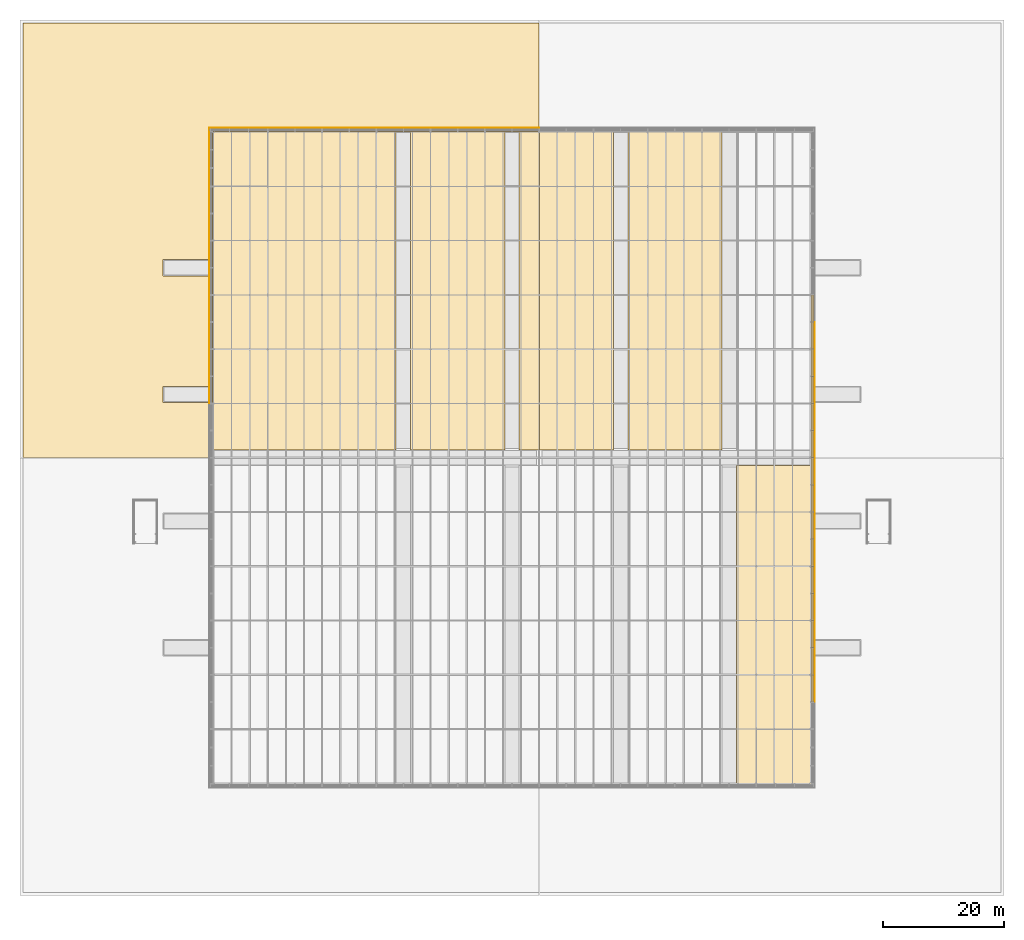
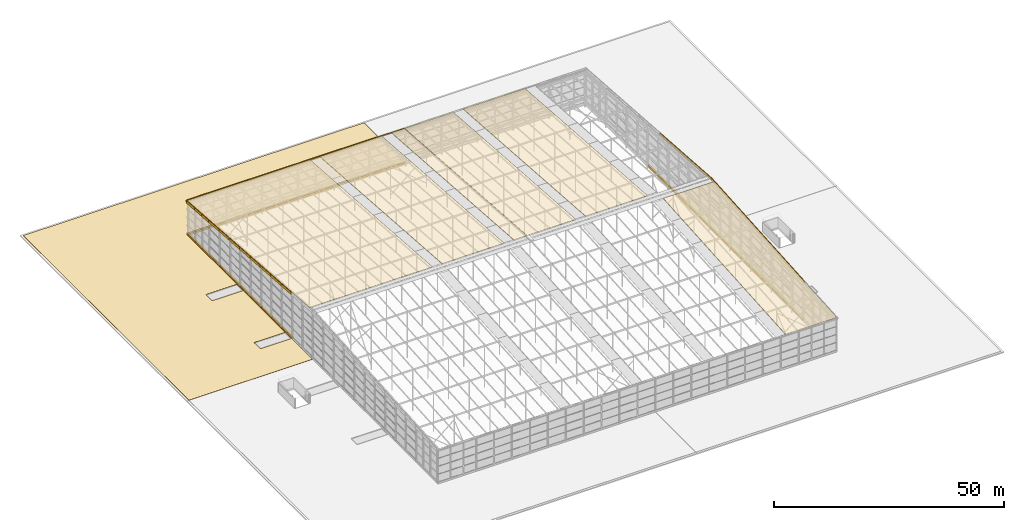
# One storey, part 83 of 84: 70 coverings.
"""IFC4 building model written with IfcOpenShell, lengths in metres."""

from ifc_helpers import new_model, si_unit, direction, frame, origin, place, context, subcontext, project, spatial, polyline, outline, extrude, material, layer, layer_set, type_object, element, save


model = new_model("IFC4")

# Units and contexts
model_context = context("Model", 3, precision=1e-05, world=origin(), true_north=direction((0.0, 1.0)))
body_context = subcontext(model_context, "Body", "Model", "MODEL_VIEW")
ifc_project = project(units=[si_unit("LENGTHUNIT", "METRE"), si_unit("AREAUNIT", "SQUARE_METRE"), si_unit("VOLUMEUNIT", "CUBIC_METRE"), si_unit("PLANEANGLEUNIT", "RADIAN"), si_unit("MASSUNIT", "GRAM", prefix="KILO")], contexts=[model_context])

# Site, building, storey
site_placement = place(None, origin())
site = spatial("IfcSite", under=ifc_project, at=site_placement, CompositionType="ELEMENT")
building_placement = place(site_placement, origin())
building = spatial("IfcBuilding", under=site, at=building_placement, Name="Silverbay Arena", CompositionType="ELEMENT")
storey_placement = place(building_placement, frame((0.0, 0.0, 47.10009765625)))
storey = spatial("IfcBuildingStorey", under=building, at=storey_placement, Name="ROOF", CompositionType="ELEMENT", Elevation=47.10009765625)

# Coverings
ifc_material_1 = material(Name="Insulated metal curb")
ifc_layer_1 = layer(ifc_material_1, 0.449951171875)
ifc_layer_set_1 = layer_set([ifc_layer_1], Name="Insulated metal curb")
covering_type_1 = type_object("IfcCoveringType", Name="Crown glazing curb 450", PredefinedType="CLADDING", material=ifc_layer_set_1)
covering_1_placement = place(storey_placement, origin())
element("IfcCovering", 1, at=covering_1_placement, inside=storey, type_object=covering_type_1, Name="CROWN GLAZING CURB north 01", PredefinedType="CLADDING", context=body_context, shape_type="SweptSolid", body=[
    extrude(outline(polyline([(80.425048828125, 135.125), (90.0, 135.125), (90.0, 135.574951171875), (80.425048828125, 135.574951171875), (80.425048828125, 135.125)])), origin(), (0.0, 0.0, 1.0), 0.449951171875),
])
covering_2_placement = place(storey_placement, origin())
element("IfcCovering", 2, at=covering_2_placement, inside=storey, type_object=covering_type_1, Name="CROWN GLAZING CURB north 02", PredefinedType="CLADDING", context=body_context, shape_type="SweptSolid", body=[
    extrude(outline(polyline([(90.0, 135.125), (99.0, 135.125), (99.0, 135.574951171875), (90.0, 135.574951171875), (90.0, 135.125)])), origin(), (0.0, 0.0, 1.0), 0.449951171875),
])
covering_3_placement = place(storey_placement, origin())
element("IfcCovering", 3, at=covering_3_placement, inside=storey, type_object=covering_type_1, Name="CROWN GLAZING CURB north 03", PredefinedType="CLADDING", context=body_context, shape_type="SweptSolid", body=[
    extrude(outline(polyline([(99.0, 135.125), (108.0, 135.125), (108.0, 135.574951171875), (99.0, 135.574951171875), (99.0, 135.125)])), origin(), (0.0, 0.0, 1.0), 0.449951171875),
])
covering_4_placement = place(storey_placement, origin())
element("IfcCovering", 4, at=covering_4_placement, inside=storey, type_object=covering_type_1, Name="CROWN GLAZING CURB north 04", PredefinedType="CLADDING", context=body_context, shape_type="SweptSolid", body=[
    extrude(outline(polyline([(108.0, 135.125), (117.0, 135.125), (117.0, 135.574951171875), (108.0, 135.574951171875), (108.0, 135.125)])), origin(), (0.0, 0.0, 1.0), 0.449951171875),
])
covering_5_placement = place(storey_placement, origin())
element("IfcCovering", 5, at=covering_5_placement, inside=storey, type_object=covering_type_1, Name="CROWN GLAZING CURB north 05", PredefinedType="CLADDING", context=body_context, shape_type="SweptSolid", body=[
    extrude(outline(polyline([(117.0, 135.125), (126.0, 135.125), (126.0, 135.574951171875), (117.0, 135.574951171875), (117.0, 135.125)])), origin(), (0.0, 0.0, 1.0), 0.449951171875),
])
covering_6_placement = place(storey_placement, origin())
element("IfcCovering", 6, at=covering_6_placement, inside=storey, type_object=covering_type_1, Name="CROWN GLAZING CURB north 06", PredefinedType="CLADDING", context=body_context, shape_type="SweptSolid", body=[
    extrude(outline(polyline([(126.0, 135.125), (135.0, 135.125), (135.0, 135.574951171875), (126.0, 135.574951171875), (126.0, 135.125)])), origin(), (0.0, 0.0, 1.0), 0.449951171875),
])
covering_7_placement = place(storey_placement, origin())
element("IfcCovering", 7, at=covering_7_placement, inside=storey, type_object=covering_type_1, Name="CROWN GLAZING CURB west 16", PredefinedType="CLADDING", context=body_context, shape_type="SweptSolid", body=[
    extrude(outline(polyline([(80.425048828125, 90.0), (80.875, 90.0), (80.875, 94.5), (80.425048828125, 94.5), (80.425048828125, 90.0)])), origin(), (0.0, 0.0, 1.0), 0.449951171875),
])
covering_8_placement = place(storey_placement, origin())
element("IfcCovering", 8, at=covering_8_placement, inside=storey, type_object=covering_type_1, Name="CROWN GLAZING CURB west 17", PredefinedType="CLADDING", context=body_context, shape_type="SweptSolid", body=[
    extrude(outline(polyline([(80.425048828125, 94.5), (80.875, 94.5), (80.875, 99.0), (80.425048828125, 99.0), (80.425048828125, 94.5)])), origin(), (0.0, 0.0, 1.0), 0.449951171875),
])
covering_9_placement = place(storey_placement, origin())
element("IfcCovering", 9, at=covering_9_placement, inside=storey, type_object=covering_type_1, Name="CROWN GLAZING CURB west 18", PredefinedType="CLADDING", context=body_context, shape_type="SweptSolid", body=[
    extrude(outline(polyline([(80.425048828125, 99.0), (80.875, 99.0), (80.875, 103.5), (80.425048828125, 103.5), (80.425048828125, 99.0)])), origin(), (0.0, 0.0, 1.0), 0.449951171875),
])
covering_10_placement = place(storey_placement, origin())
element("IfcCovering", 10, at=covering_10_placement, inside=storey, type_object=covering_type_1, Name="CROWN GLAZING CURB west 19", PredefinedType="CLADDING", context=body_context, shape_type="SweptSolid", body=[
    extrude(outline(polyline([(80.425048828125, 103.5), (80.875, 103.5), (80.875, 108.0), (80.425048828125, 108.0), (80.425048828125, 103.5)])), origin(), (0.0, 0.0, 1.0), 0.449951171875),
])
covering_11_placement = place(storey_placement, origin())
element("IfcCovering", 11, at=covering_11_placement, inside=storey, type_object=covering_type_1, Name="CROWN GLAZING CURB west 20", PredefinedType="CLADDING", context=body_context, shape_type="SweptSolid", body=[
    extrude(outline(polyline([(80.425048828125, 108.0), (80.875, 108.0), (80.875, 112.5), (80.425048828125, 112.5), (80.425048828125, 108.0)])), origin(), (0.0, 0.0, 1.0), 0.449951171875),
])
covering_12_placement = place(storey_placement, origin())
element("IfcCovering", 12, at=covering_12_placement, inside=storey, type_object=covering_type_1, Name="CROWN GLAZING CURB west 21", PredefinedType="CLADDING", context=body_context, shape_type="SweptSolid", body=[
    extrude(outline(polyline([(80.425048828125, 112.5), (80.875, 112.5), (80.875, 117.0), (80.425048828125, 117.0), (80.425048828125, 112.5)])), origin(), (0.0, 0.0, 1.0), 0.449951171875),
])
covering_13_placement = place(storey_placement, origin())
element("IfcCovering", 13, at=covering_13_placement, inside=storey, type_object=covering_type_1, Name="CROWN GLAZING CURB west 22", PredefinedType="CLADDING", context=body_context, shape_type="SweptSolid", body=[
    extrude(outline(polyline([(80.425048828125, 117.0), (80.875, 117.0), (80.875, 121.5), (80.425048828125, 121.5), (80.425048828125, 117.0)])), origin(), (0.0, 0.0, 1.0), 0.449951171875),
])
covering_14_placement = place(storey_placement, origin())
element("IfcCovering", 14, at=covering_14_placement, inside=storey, type_object=covering_type_1, Name="CROWN GLAZING CURB west 23", PredefinedType="CLADDING", context=body_context, shape_type="SweptSolid", body=[
    extrude(outline(polyline([(80.425048828125, 121.5), (80.875, 121.5), (80.875, 126.0), (80.425048828125, 126.0), (80.425048828125, 121.5)])), origin(), (0.0, 0.0, 1.0), 0.449951171875),
])
covering_15_placement = place(storey_placement, origin())
element("IfcCovering", 15, at=covering_15_placement, inside=storey, type_object=covering_type_1, Name="CROWN GLAZING CURB west 24", PredefinedType="CLADDING", context=body_context, shape_type="SweptSolid", body=[
    extrude(outline(polyline([(80.425048828125, 126.0), (80.875, 126.0), (80.875, 129.041748046875), (80.425048828125, 129.041748046875), (80.425048828125, 126.0)])), origin(), (0.0, 0.0, 1.0), 0.449951171875),
])
covering_16_placement = place(storey_placement, origin())
element("IfcCovering", 16, at=covering_16_placement, inside=storey, type_object=covering_type_1, Name="CROWN GLAZING CURB west 25", PredefinedType="CLADDING", context=body_context, shape_type="SweptSolid", body=[
    extrude(outline(polyline([(80.425048828125, 129.041748046875), (80.875, 129.041748046875), (80.875, 132.083251953125), (80.425048828125, 132.083251953125), (80.425048828125, 129.041748046875)])), origin(), (0.0, 0.0, 1.0), 0.449951171875),
])
covering_17_placement = place(storey_placement, origin())
element("IfcCovering", 17, at=covering_17_placement, inside=storey, type_object=covering_type_1, Name="CROWN GLAZING CURB west 26", PredefinedType="CLADDING", context=body_context, shape_type="SweptSolid", body=[
    extrude(outline(polyline([(80.425048828125, 132.083251953125), (80.875, 132.083251953125), (80.875, 135.125), (80.425048828125, 135.125), (80.425048828125, 132.083251953125)])), origin(), (0.0, 0.0, 1.0), 0.449951171875),
])
covering_18_placement = place(storey_placement, origin())
element("IfcCovering", 18, at=covering_18_placement, inside=storey, type_object=covering_type_1, Name="CROWN GLAZING CURB east 05", PredefinedType="CLADDING", context=body_context, shape_type="SweptSolid", body=[
    extrude(outline(polyline([(180.125, 40.5), (180.574951171875, 40.5), (180.574951171875, 45.0), (180.125, 45.0), (180.125, 40.5)])), origin(), (0.0, 0.0, 1.0), 0.449951171875),
])
covering_19_placement = place(storey_placement, origin())
element("IfcCovering", 19, at=covering_19_placement, inside=storey, type_object=covering_type_1, Name="CROWN GLAZING CURB east 06", PredefinedType="CLADDING", context=body_context, shape_type="SweptSolid", body=[
    extrude(outline(polyline([(180.125, 45.0), (180.574951171875, 45.0), (180.574951171875, 49.5), (180.125, 49.5), (180.125, 45.0)])), origin(), (0.0, 0.0, 1.0), 0.449951171875),
])
covering_20_placement = place(storey_placement, origin())
element("IfcCovering", 20, at=covering_20_placement, inside=storey, type_object=covering_type_1, Name="CROWN GLAZING CURB east 07", PredefinedType="CLADDING", context=body_context, shape_type="SweptSolid", body=[
    extrude(outline(polyline([(180.125, 49.5), (180.574951171875, 49.5), (180.574951171875, 54.0), (180.125, 54.0), (180.125, 49.5)])), origin(), (0.0, 0.0, 1.0), 0.449951171875),
])
covering_21_placement = place(storey_placement, origin())
element("IfcCovering", 21, at=covering_21_placement, inside=storey, type_object=covering_type_1, Name="CROWN GLAZING CURB east 08", PredefinedType="CLADDING", context=body_context, shape_type="SweptSolid", body=[
    extrude(outline(polyline([(180.125, 54.0), (180.574951171875, 54.0), (180.574951171875, 58.5), (180.125, 58.5), (180.125, 54.0)])), origin(), (0.0, 0.0, 1.0), 0.449951171875),
])
covering_22_placement = place(storey_placement, origin())
element("IfcCovering", 22, at=covering_22_placement, inside=storey, type_object=covering_type_1, Name="CROWN GLAZING CURB east 09", PredefinedType="CLADDING", context=body_context, shape_type="SweptSolid", body=[
    extrude(outline(polyline([(180.125, 58.5), (180.574951171875, 58.5), (180.574951171875, 63.0), (180.125, 63.0), (180.125, 58.5)])), origin(), (0.0, 0.0, 1.0), 0.449951171875),
])
covering_23_placement = place(storey_placement, origin())
element("IfcCovering", 23, at=covering_23_placement, inside=storey, type_object=covering_type_1, Name="CROWN GLAZING CURB east 10", PredefinedType="CLADDING", context=body_context, shape_type="SweptSolid", body=[
    extrude(outline(polyline([(180.125, 63.0), (180.574951171875, 63.0), (180.574951171875, 67.5), (180.125, 67.5), (180.125, 63.0)])), origin(), (0.0, 0.0, 1.0), 0.449951171875),
])
covering_24_placement = place(storey_placement, origin())
element("IfcCovering", 24, at=covering_24_placement, inside=storey, type_object=covering_type_1, Name="CROWN GLAZING CURB east 11", PredefinedType="CLADDING", context=body_context, shape_type="SweptSolid", body=[
    extrude(outline(polyline([(180.125, 67.5), (180.574951171875, 67.5), (180.574951171875, 72.0), (180.125, 72.0), (180.125, 67.5)])), origin(), (0.0, 0.0, 1.0), 0.449951171875),
])
covering_25_placement = place(storey_placement, origin())
element("IfcCovering", 25, at=covering_25_placement, inside=storey, type_object=covering_type_1, Name="CROWN GLAZING CURB east 12", PredefinedType="CLADDING", context=body_context, shape_type="SweptSolid", body=[
    extrude(outline(polyline([(180.125, 72.0), (180.574951171875, 72.0), (180.574951171875, 76.5), (180.125, 76.5), (180.125, 72.0)])), origin(), (0.0, 0.0, 1.0), 0.449951171875),
])
covering_26_placement = place(storey_placement, origin())
element("IfcCovering", 26, at=covering_26_placement, inside=storey, type_object=covering_type_1, Name="CROWN GLAZING CURB east 13", PredefinedType="CLADDING", context=body_context, shape_type="SweptSolid", body=[
    extrude(outline(polyline([(180.125, 76.5), (180.574951171875, 76.5), (180.574951171875, 81.0), (180.125, 81.0), (180.125, 76.5)])), origin(), (0.0, 0.0, 1.0), 0.449951171875),
])
covering_27_placement = place(storey_placement, origin())
element("IfcCovering", 27, at=covering_27_placement, inside=storey, type_object=covering_type_1, Name="CROWN GLAZING CURB east 14", PredefinedType="CLADDING", context=body_context, shape_type="SweptSolid", body=[
    extrude(outline(polyline([(180.125, 81.0), (180.574951171875, 81.0), (180.574951171875, 85.5), (180.125, 85.5), (180.125, 81.0)])), origin(), (0.0, 0.0, 1.0), 0.449951171875),
])
covering_28_placement = place(storey_placement, origin())
element("IfcCovering", 28, at=covering_28_placement, inside=storey, type_object=covering_type_1, Name="CROWN GLAZING CURB east 15", PredefinedType="CLADDING", context=body_context, shape_type="SweptSolid", body=[
    extrude(outline(polyline([(180.125, 85.5), (180.574951171875, 85.5), (180.574951171875, 90.0), (180.125, 90.0), (180.125, 85.5)])), origin(), (0.0, 0.0, 1.0), 0.449951171875),
])
covering_29_placement = place(storey_placement, origin())
element("IfcCovering", 29, at=covering_29_placement, inside=storey, type_object=covering_type_1, Name="CROWN GLAZING CURB east 16", PredefinedType="CLADDING", context=body_context, shape_type="SweptSolid", body=[
    extrude(outline(polyline([(180.125, 90.0), (180.574951171875, 90.0), (180.574951171875, 94.5), (180.125, 94.5), (180.125, 90.0)])), origin(), (0.0, 0.0, 1.0), 0.449951171875),
])
covering_30_placement = place(storey_placement, origin())
element("IfcCovering", 30, at=covering_30_placement, inside=storey, type_object=covering_type_1, Name="CROWN GLAZING CURB east 17", PredefinedType="CLADDING", context=body_context, shape_type="SweptSolid", body=[
    extrude(outline(polyline([(180.125, 94.5), (180.574951171875, 94.5), (180.574951171875, 99.0), (180.125, 99.0), (180.125, 94.5)])), origin(), (0.0, 0.0, 1.0), 0.449951171875),
])
covering_31_placement = place(storey_placement, origin())
element("IfcCovering", 31, at=covering_31_placement, inside=storey, type_object=covering_type_1, Name="CROWN GLAZING CURB east 18", PredefinedType="CLADDING", context=body_context, shape_type="SweptSolid", body=[
    extrude(outline(polyline([(180.125, 99.0), (180.574951171875, 99.0), (180.574951171875, 103.5), (180.125, 103.5), (180.125, 99.0)])), origin(), (0.0, 0.0, 1.0), 0.449951171875),
])
covering_32_placement = place(storey_placement, origin())
element("IfcCovering", 32, at=covering_32_placement, inside=storey, type_object=covering_type_1, Name="CROWN GLAZING CURB east 19", PredefinedType="CLADDING", context=body_context, shape_type="SweptSolid", body=[
    extrude(outline(polyline([(180.125, 103.5), (180.574951171875, 103.5), (180.574951171875, 108.0), (180.125, 108.0), (180.125, 103.5)])), origin(), (0.0, 0.0, 1.0), 0.449951171875),
])
ifc_material_2 = material(Name="Insulated metal cladding panel")
ifc_layer_2 = layer(ifc_material_2, 0.14990234375)
ifc_layer_set_2 = layer_set([ifc_layer_2], Name="Insulated metal cladding panel")
covering_type_2 = type_object("IfcCoveringType", Name="Crown lid fascia 150", PredefinedType="CLADDING", material=ifc_layer_set_2)
covering_33_placement = place(storey_placement, frame((0.0, 0.0, 8.85302734375)))
element("IfcCovering", 33, at=covering_33_placement, inside=storey, type_object=covering_type_2, Name="CROWN LID FASCIA north 01", PredefinedType="CLADDING", context=body_context, shape_type="SweptSolid", body=[
    extrude(outline(polyline([(80.27490234375, 135.574951171875), (90.0, 135.574951171875), (90.0, 135.72509765625), (80.27490234375, 135.72509765625), (80.27490234375, 135.574951171875)])), origin(), (0.0, 0.0, 1.0), 0.300048828125),
])
covering_34_placement = place(storey_placement, frame((0.0, 0.0, 8.85302734375)))
element("IfcCovering", 34, at=covering_34_placement, inside=storey, type_object=covering_type_2, Name="CROWN LID FASCIA north 02", PredefinedType="CLADDING", context=body_context, shape_type="SweptSolid", body=[
    extrude(outline(polyline([(90.0, 135.574951171875), (99.0, 135.574951171875), (99.0, 135.72509765625), (90.0, 135.72509765625), (90.0, 135.574951171875)])), origin(), (0.0, 0.0, 1.0), 0.300048828125),
])
covering_35_placement = place(storey_placement, frame((0.0, 0.0, 8.85302734375)))
element("IfcCovering", 35, at=covering_35_placement, inside=storey, type_object=covering_type_2, Name="CROWN LID FASCIA north 03", PredefinedType="CLADDING", context=body_context, shape_type="SweptSolid", body=[
    extrude(outline(polyline([(99.0, 135.574951171875), (108.0, 135.574951171875), (108.0, 135.72509765625), (99.0, 135.72509765625), (99.0, 135.574951171875)])), origin(), (0.0, 0.0, 1.0), 0.300048828125),
])
covering_36_placement = place(storey_placement, frame((0.0, 0.0, 8.85302734375)))
element("IfcCovering", 36, at=covering_36_placement, inside=storey, type_object=covering_type_2, Name="CROWN LID FASCIA north 04", PredefinedType="CLADDING", context=body_context, shape_type="SweptSolid", body=[
    extrude(outline(polyline([(108.0, 135.574951171875), (117.0, 135.574951171875), (117.0, 135.72509765625), (108.0, 135.72509765625), (108.0, 135.574951171875)])), origin(), (0.0, 0.0, 1.0), 0.300048828125),
])
covering_37_placement = place(storey_placement, frame((0.0, 0.0, 8.85302734375)))
element("IfcCovering", 37, at=covering_37_placement, inside=storey, type_object=covering_type_2, Name="CROWN LID FASCIA north 05", PredefinedType="CLADDING", context=body_context, shape_type="SweptSolid", body=[
    extrude(outline(polyline([(117.0, 135.574951171875), (126.0, 135.574951171875), (126.0, 135.72509765625), (117.0, 135.72509765625), (117.0, 135.574951171875)])), origin(), (0.0, 0.0, 1.0), 0.300048828125),
])
covering_38_placement = place(storey_placement, frame((0.0, 0.0, 8.85302734375)))
element("IfcCovering", 38, at=covering_38_placement, inside=storey, type_object=covering_type_2, Name="CROWN LID FASCIA north 06", PredefinedType="CLADDING", context=body_context, shape_type="SweptSolid", body=[
    extrude(outline(polyline([(126.0, 135.574951171875), (135.0, 135.574951171875), (135.0, 135.72509765625), (126.0, 135.72509765625), (126.0, 135.574951171875)])), origin(), (0.0, 0.0, 1.0), 0.300048828125),
])
covering_39_placement = place(storey_placement, frame((80.425048828125, 90.0, 11.75), z_axis=(1.0, 0.0, 0.0), x_axis=(0.0, 0.997399022653, -0.072077663746)))
element("IfcCovering", 39, at=covering_39_placement, inside=storey, type_object=covering_type_2, Name="CROWN LID FASCIA west 16", PredefinedType="CLADDING", context=body_context, shape_type="SweptSolid", body=[
    extrude(outline(polyline([(0.0, 0.0), (4.511734920324107, 0.0), (4.461266478032928, 0.6983741203536072), (-0.05045084520530307, 0.6981306147328424), (0.0, 0.0)])), origin(), (0.0, 0.0, -1.0), 0.14990234375),
])
covering_40_placement = place(storey_placement, frame((80.425048828125, 94.5, 11.4248046875), z_axis=(1.0, 0.0, 0.0), x_axis=(0.0, 0.997402911363, -0.072023832195)))
element("IfcCovering", 40, at=covering_40_placement, inside=storey, type_object=covering_type_2, Name="CROWN LID FASCIA west 17", PredefinedType="CLADDING", context=body_context, shape_type="SweptSolid", body=[
    extrude(outline(polyline([(0.0, 0.0), (4.511717329809453, 0.0), (4.461304164061397, 0.6981333366402473), (-0.05043074969146312, 0.6983768432104044), (0.0, 0.0)])), origin(), (0.0, 0.0, -1.0), 0.14990234375),
])
for number, where, z_axis, x_axis, name in (
    (41, (80.425048828125, 99.0, 11.099853515625), (1.0, 0.0, 0.0), (0.0, 0.997402911363, -0.072023832195), "CROWN LID FASCIA west 18"),
    (42, (80.425048828125, 103.5, 10.77490234375), (1.0, 0.0, 0.0), (0.0, 0.997402911363, -0.072023832195), "CROWN LID FASCIA west 19"),
    (43, (80.425048828125, 108.0, 10.449951171875), (1.0, 0.0, 0.0), (0.0, 0.997402911363, -0.072023832195), "CROWN LID FASCIA west 20"),
):
    element("IfcCovering", number, at=place(storey_placement, frame(where, z_axis=z_axis, x_axis=x_axis)), inside=storey, type_object=covering_type_2, Name=name, PredefinedType="CLADDING", context=body_context, shape_type="SweptSolid", body=[
        extrude(outline(polyline([(0.0, 0.0), (4.511717329809453, 0.0), (4.461304164061397, 0.6981333366402473), (-0.05041316574805606, 0.6981333366402473), (0.0, 0.0)])), origin(), (0.0, 0.0, -1.0), 0.14990234375),
    ])
covering_41_placement = place(storey_placement, frame((80.425048828125, 112.5, 10.125), z_axis=(1.0, 0.0, 0.0), x_axis=(0.0, 0.997399022653, -0.072077663746)))
element("IfcCovering", 44, at=covering_41_placement, inside=storey, type_object=covering_type_2, Name="CROWN LID FASCIA west 21", PredefinedType="CLADDING", context=body_context, shape_type="SweptSolid", body=[
    extrude(outline(polyline([(0.0, 0.0), (4.511734920324107, 0.0), (4.461266478032928, 0.6983741203536072), (-0.05045084520530307, 0.6981306147328424), (0.0, 0.0)])), origin(), (0.0, 0.0, -1.0), 0.14990234375),
])
covering_42_placement = place(storey_placement, frame((80.425048828125, 117.0, 9.7998046875), z_axis=(1.0, 0.0, 0.0), x_axis=(0.0, 0.997402911363, -0.072023832195)))
element("IfcCovering", 45, at=covering_42_placement, inside=storey, type_object=covering_type_2, Name="CROWN LID FASCIA west 22", PredefinedType="CLADDING", context=body_context, shape_type="SweptSolid", body=[
    extrude(outline(polyline([(0.0, 0.0), (4.511717329809453, 0.0), (4.461304164061397, 0.6981333366402473), (-0.05043074969146312, 0.6983768432104044), (0.0, 0.0)])), origin(), (0.0, 0.0, -1.0), 0.14990234375),
])
covering_43_placement = place(storey_placement, frame((80.425048828125, 121.5, 9.474853515625), z_axis=(1.0, 0.0, 0.0), x_axis=(0.0, 0.997402911363, -0.072023832195)))
element("IfcCovering", 46, at=covering_43_placement, inside=storey, type_object=covering_type_2, Name="CROWN LID FASCIA west 23", PredefinedType="CLADDING", context=body_context, shape_type="SweptSolid", body=[
    extrude(outline(polyline([(0.0, 0.0), (4.511717329809453, 0.0), (4.461304164061397, 0.6981333366402473), (-0.05041316574805606, 0.6981333366402473), (0.0, 0.0)])), origin(), (0.0, 0.0, -1.0), 0.14990234375),
])
covering_44_placement = place(storey_placement, frame((80.425048828125, 126.0, 9.14990234375), z_axis=(1.0, 0.0, 0.0), x_axis=(0.0, 0.997401079261, -0.07204919908)))
element("IfcCovering", 47, at=covering_44_placement, inside=storey, type_object=covering_type_2, Name="CROWN LID FASCIA west 24", PredefinedType="CLADDING", context=body_context, shape_type="SweptSolid", body=[
    extrude(outline(polyline([(0.0, 0.0), (3.0496739076392982, 0.0), (2.999242986310731, 0.6981320542584604), (-0.050430921328566844, 0.6981320542584603), (0.0, 0.0)])), origin(), (0.0, 0.0, -1.0), 0.14990234375),
])
covering_45_placement = place(storey_placement, frame((80.425048828125, 129.041748046875, 8.93017578125), z_axis=(1.0, 0.0, 0.0), x_axis=(0.0, 0.997400663641, -0.072054952422)))
element("IfcCovering", 48, at=covering_45_placement, inside=storey, type_object=covering_type_2, Name="CROWN LID FASCIA west 25", PredefinedType="CLADDING", context=body_context, shape_type="SweptSolid", body=[
    extrude(outline(polyline([(0.0, 0.0), (3.049430401567164, 5.551115123125783e-17), (2.998977861638668, 0.6983752693657875), (-0.05043494838737773, 0.6981317633443908), (0.0, 0.0)])), origin(), (0.0, 0.0, -1.0), 0.14990234375),
])
covering_46_placement = place(storey_placement, frame((80.425048828125, 132.083251953125, 8.71044921875), z_axis=(1.0, 0.0, 0.0), x_axis=(0.0, 0.997406752656, -0.071970617308)))
element("IfcCovering", 49, at=covering_46_placement, inside=storey, type_object=covering_type_2, Name="CROWN LID FASCIA west 26", PredefinedType="CLADDING", context=body_context, shape_type="SweptSolid", body=[
    extrude(outline(polyline([(0.0, 0.0), (3.5007776009647666, 0.0), (3.4504016830393556, 0.6981360253577795), (-0.05039348887690228, 0.6983795328657522), (0.0, 0.0)])), origin(), (0.0, 0.0, -1.0), 0.14990234375),
])
covering_47_placement = place(storey_placement, frame((180.574951171875, 40.5, 10.1748046875), z_axis=(-1.0, 0.0, 0.0), x_axis=(0.0, 0.997399022653, 0.072077663746)))
element("IfcCovering", 50, at=covering_47_placement, inside=storey, type_object=covering_type_2, Name="CROWN LID FASCIA east 05", PredefinedType="CLADDING", context=body_context, shape_type="SweptSolid", body=[
    extrude(outline(polyline([(0.0, 0.0), (4.511734920324107, 0.0), (4.461266478032928, 0.6983741203536072), (-0.05045084520530307, 0.6981306147328424), (0.0, 0.0)])), origin(), (0.0, 0.0, -1.0), 0.14990234375),
])
covering_48_placement = place(storey_placement, frame((180.574951171875, 45.0, 10.5), z_axis=(-1.0, 0.0, 0.0), x_axis=(0.0, 0.997402911363, 0.072023832195)))
element("IfcCovering", 51, at=covering_48_placement, inside=storey, type_object=covering_type_2, Name="CROWN LID FASCIA east 06", PredefinedType="CLADDING", context=body_context, shape_type="SweptSolid", body=[
    extrude(outline(polyline([(0.0, 0.0), (4.511717329809453, 0.0), (4.461304164061397, 0.6981333366402473), (-0.05043074969146312, 0.6983768432104044), (0.0, 0.0)])), origin(), (0.0, 0.0, -1.0), 0.14990234375),
])
for number, where, z_axis, x_axis, name in (
    (52, (180.574951171875, 49.5, 10.824951171875), (-1.0, 0.0, 0.0), (0.0, 0.997402911363, 0.072023832195), "CROWN LID FASCIA east 07"),
    (53, (180.574951171875, 54.0, 11.14990234375), (-1.0, 0.0, 0.0), (0.0, 0.997402911363, 0.072023832195), "CROWN LID FASCIA east 08"),
    (54, (180.574951171875, 58.5, 11.474853515625), (-1.0, 0.0, 0.0), (0.0, 0.997402911363, 0.072023832195), "CROWN LID FASCIA east 09"),
):
    element("IfcCovering", number, at=place(storey_placement, frame(where, z_axis=z_axis, x_axis=x_axis)), inside=storey, type_object=covering_type_2, Name=name, PredefinedType="CLADDING", context=body_context, shape_type="SweptSolid", body=[
        extrude(outline(polyline([(0.0, 0.0), (4.511717329809453, 0.0), (4.461304164061397, 0.6981333366402473), (-0.05041316574805606, 0.6981333366402473), (0.0, 0.0)])), origin(), (0.0, 0.0, -1.0), 0.14990234375),
    ])
covering_49_placement = place(storey_placement, frame((180.574951171875, 63.0, 11.7998046875), z_axis=(-1.0, 0.0, 0.0), x_axis=(0.0, 0.997399022653, 0.072077663746)))
element("IfcCovering", 55, at=covering_49_placement, inside=storey, type_object=covering_type_2, Name="CROWN LID FASCIA east 10", PredefinedType="CLADDING", context=body_context, shape_type="SweptSolid", body=[
    extrude(outline(polyline([(0.0, 0.0), (4.511734920324107, 0.0), (4.461266478032928, 0.6983741203536072), (-0.05045084520530307, 0.6981306147328424), (0.0, 0.0)])), origin(), (0.0, 0.0, -1.0), 0.14990234375),
])
covering_50_placement = place(storey_placement, frame((180.574951171875, 67.5, 12.125), z_axis=(-1.0, 0.0, 0.0), x_axis=(0.0, 0.997402911363, 0.072023832195)))
element("IfcCovering", 56, at=covering_50_placement, inside=storey, type_object=covering_type_2, Name="CROWN LID FASCIA east 11", PredefinedType="CLADDING", context=body_context, shape_type="SweptSolid", body=[
    extrude(outline(polyline([(0.0, 0.0), (4.511717329809453, 0.0), (4.461304164061397, 0.6981333366402473), (-0.05043074969146312, 0.6983768432104044), (0.0, 0.0)])), origin(), (0.0, 0.0, -1.0), 0.14990234375),
])
for number, where, z_axis, x_axis, name in (
    (57, (180.574951171875, 72.0, 12.449951171875), (-1.0, 0.0, 0.0), (0.0, 0.997402911363, 0.072023832195), "CROWN LID FASCIA east 12"),
    (58, (180.574951171875, 76.5, 12.77490234375), (-1.0, 0.0, 0.0), (0.0, 0.997402911363, 0.072023832195), "CROWN LID FASCIA east 13"),
):
    element("IfcCovering", number, at=place(storey_placement, frame(where, z_axis=z_axis, x_axis=x_axis)), inside=storey, type_object=covering_type_2, Name=name, PredefinedType="CLADDING", context=body_context, shape_type="SweptSolid", body=[
        extrude(outline(polyline([(0.0, 0.0), (4.511717329809453, 0.0), (4.461304164061397, 0.6981333366402473), (-0.05041316574805606, 0.6981333366402473), (0.0, 0.0)])), origin(), (0.0, 0.0, -1.0), 0.14990234375),
    ])
for number, where, z_axis, x_axis, name in (
    (59, (180.574951171875, 81.0, 13.099853515625), (-1.0, 0.0, 0.0), (0.0, 0.997402911363, -0.072023832195), "CROWN LID FASCIA east 14"),
    (60, (180.574951171875, 85.5, 12.77490234375), (-1.0, 0.0, 0.0), (0.0, 0.997402911363, -0.072023832195), "CROWN LID FASCIA east 15"),
):
    element("IfcCovering", number, at=place(storey_placement, frame(where, z_axis=z_axis, x_axis=x_axis)), inside=storey, type_object=covering_type_2, Name=name, PredefinedType="CLADDING", context=body_context, shape_type="SweptSolid", body=[
        extrude(outline(polyline([(0.0, 0.0), (4.511717329809453, 0.0), (4.562130495557509, 0.6981333366402473), (0.05041316574805606, 0.6981333366402473), (0.0, 0.0)])), origin(), (0.0, 0.0, -1.0), 0.14990234375),
    ])
covering_51_placement = place(storey_placement, frame((180.574951171875, 90.0, 12.449951171875), z_axis=(-1.0, 0.0, 0.0), x_axis=(0.0, 0.997402911363, -0.072023832195)))
element("IfcCovering", 61, at=covering_51_placement, inside=storey, type_object=covering_type_2, Name="CROWN LID FASCIA east 16", PredefinedType="CLADDING", context=body_context, shape_type="SweptSolid", body=[
    extrude(outline(polyline([(0.0, 0.0), (4.511717329809453, 0.0), (4.562148079500916, 0.6983768432104045), (0.05041316574805606, 0.6981333366402473), (0.0, 0.0)])), origin(), (0.0, 0.0, -1.0), 0.14990234375),
])
covering_52_placement = place(storey_placement, frame((180.574951171875, 94.5, 12.125), z_axis=(-1.0, 0.0, 0.0), x_axis=(0.0, 0.997399022653, -0.072077663746)))
element("IfcCovering", 62, at=covering_52_placement, inside=storey, type_object=covering_type_2, Name="CROWN LID FASCIA east 17", PredefinedType="CLADDING", context=body_context, shape_type="SweptSolid", body=[
    extrude(outline(polyline([(0.0, 0.0), (4.511734920324107, 0.0), (4.56218576552941, 0.6981306147328424), (0.05046844229117865, 0.6983741203536072), (0.0, 0.0)])), origin(), (0.0, 0.0, -1.0), 0.14990234375),
])
covering_53_placement = place(storey_placement, frame((180.574951171875, 99.0, 11.7998046875), z_axis=(-1.0, 0.0, 0.0), x_axis=(0.0, 0.997402911363, -0.072023832195)))
element("IfcCovering", 63, at=covering_53_placement, inside=storey, type_object=covering_type_2, Name="CROWN LID FASCIA east 18", PredefinedType="CLADDING", context=body_context, shape_type="SweptSolid", body=[
    extrude(outline(polyline([(0.0, 0.0), (4.511717329809453, 0.0), (4.562130495557509, 0.6981333366402473), (0.05041316574805606, 0.6981333366402473), (0.0, 0.0)])), origin(), (0.0, 0.0, -1.0), 0.14990234375),
])
ifc_material_3 = material(Name="Bituminous roofing membrane")
ifc_layer_3 = layer(ifc_material_3, 0.050048828125)
ifc_layer_set_3 = layer_set([ifc_layer_3], Name="Bituminous roofing membrane")
covering_type_3 = type_object("IfcCoveringType", Name="Crown lid membrane 50", PredefinedType="ROOFING", material=ifc_layer_set_3)
covering_54_placement = place(storey_placement, frame((167.699951171875, 26.425048828125, 9.1591796875), z_axis=(0.0, -0.072035053259, 0.997402101011), x_axis=(1.0, 0.0, 0.0)))
element("IfcCovering", 64, at=covering_54_placement, inside=storey, type_object=covering_type_3, Name="ROOFING crown lid south 08", PredefinedType="ROOFING", context=body_context, shape_type="SweptSolid", body=[
    extrude(outline(polyline([(0.0, 0.0), (12.875, 0.0), (12.875, 53.41366565172496), (0.0, 53.41366565172496), (0.0, 0.0)])), origin(), (0.0, 0.0, -1.0), 0.050048828125),
])
covering_55_placement = place(storey_placement, frame((80.425048828125, 82.300048828125, 13.0068359375), z_axis=(0.0, 0.072035053259, 0.997402101011), x_axis=(1.0, 0.0, 0.0)))
element("IfcCovering", 65, at=covering_55_placement, inside=storey, type_object=covering_type_3, Name="ROOFING crown lid north 11", PredefinedType="ROOFING", context=body_context, shape_type="SweptSolid", body=[
    extrude(outline(polyline([(0.0, 0.0), (30.875, 0.0), (30.875, 53.41366565172496), (0.0, 53.41366565172496), (0.0, 0.0)])), origin(), (0.0, 0.0, -1.0), 0.050048828125),
])
covering_56_placement = place(storey_placement, frame((113.699951171875, 82.300048828125, 13.0068359375), z_axis=(0.0, 0.072035053259, 0.997402101011), x_axis=(1.0, 0.0, 0.0)))
element("IfcCovering", 66, at=covering_56_placement, inside=storey, type_object=covering_type_3, Name="ROOFING crown lid north 12", PredefinedType="ROOFING", context=body_context, shape_type="SweptSolid", body=[
    extrude(outline(polyline([(0.0, 0.0), (15.60009765625, 0.0), (15.60009765625, 53.413665651724955), (0.0, 53.413665651724955), (0.0, 0.0)])), origin(), (0.0, 0.0, -1.0), 0.050048828125),
])
covering_57_placement = place(storey_placement, frame((131.699951171875, 82.300048828125, 13.0068359375), z_axis=(0.0, 0.072035053259, 0.997402101011), x_axis=(1.0, 0.0, 0.0)))
element("IfcCovering", 67, at=covering_57_placement, inside=storey, type_object=covering_type_3, Name="ROOFING crown lid north 13", PredefinedType="ROOFING", context=body_context, shape_type="SweptSolid", body=[
    extrude(outline(polyline([(0.0, 0.0), (3.255126953125, 0.0), (3.255126953125, 53.41366565172496), (0.0, 53.41366565172496), (0.0, 0.0)])), origin(), (0.0, 0.0, -1.0), 0.050048828125),
])
covering_58_placement = place(storey_placement, frame((135.044921875, 82.300048828125, 13.0068359375), z_axis=(0.0, 0.072035053259, 0.997402101011), x_axis=(1.0, 0.0, 0.0)))
element("IfcCovering", 68, at=covering_58_placement, inside=storey, type_object=covering_type_3, Name="ROOFING crown lid north 14", PredefinedType="ROOFING", context=body_context, shape_type="SweptSolid", body=[
    extrude(outline(polyline([(0.0, 0.0), (12.255126953125, 0.0), (12.255126953125, 53.413665651724955), (0.0, 53.413665651724955), (0.0, 0.0)])), origin(), (0.0, 0.0, -1.0), 0.050048828125),
])
covering_59_placement = place(storey_placement, frame((149.699951171875, 82.300048828125, 13.0068359375), z_axis=(0.0, 0.072035053259, 0.997402101011), x_axis=(1.0, 0.0, 0.0)))
element("IfcCovering", 69, at=covering_59_placement, inside=storey, type_object=covering_type_3, Name="ROOFING crown lid north 15", PredefinedType="ROOFING", context=body_context, shape_type="SweptSolid", body=[
    extrude(outline(polyline([(0.0, 0.0), (15.60009765625, 0.0), (15.60009765625, 53.413665651724955), (0.0, 53.413665651724955), (0.0, 0.0)])), origin(), (0.0, 0.0, -1.0), 0.050048828125),
])
ifc_material_4 = material(Name="Bituminous roofing membrane")
ifc_layer_4 = layer(ifc_material_4, 0.050048828125)
ifc_layer_set_4 = layer_set([ifc_layer_4], Name="Bituminous roofing membrane")
covering_type_4 = type_object("IfcCoveringType", Name="Roof membrane 50", PredefinedType="ROOFING", material=ifc_layer_set_4)
covering_60_placement = place(storey_placement, origin())
element("IfcCovering", 70, at=covering_60_placement, inside=storey, type_object=covering_type_4, Name="ROOFING north-west", PredefinedType="ROOFING", context=body_context, shape_type="SweptSolid", body=[
    extrude(outline(polyline([(49.39990234375, 81.02490234375), (80.425048828125, 81.02490234375), (80.425048828125, 135.574951171875), (134.955078125, 135.574951171875), (134.955078125, 153.10009765625), (49.39990234375, 153.10009765625), (49.39990234375, 81.02490234375)]), holes=[polyline([(72.60009765625, 90.14990234375), (72.60009765625, 92.85009765625), (80.39990234375, 92.85009765625), (80.39990234375, 90.14990234375), (72.60009765625, 90.14990234375)]), polyline([(72.60009765625, 111.14990234375), (72.60009765625, 113.85009765625), (80.39990234375, 113.85009765625), (80.39990234375, 111.14990234375), (72.60009765625, 111.14990234375)])]), origin(), (0.0, 0.0, 1.0), 0.0498046875),
])

save(model, "model.ifc")
